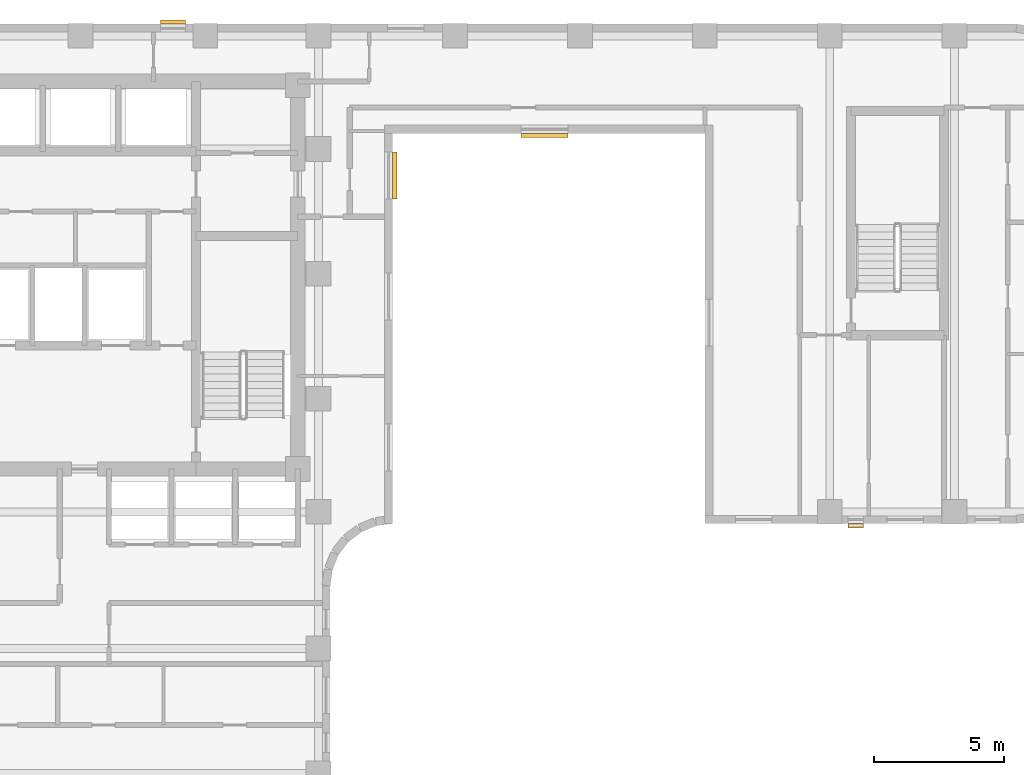
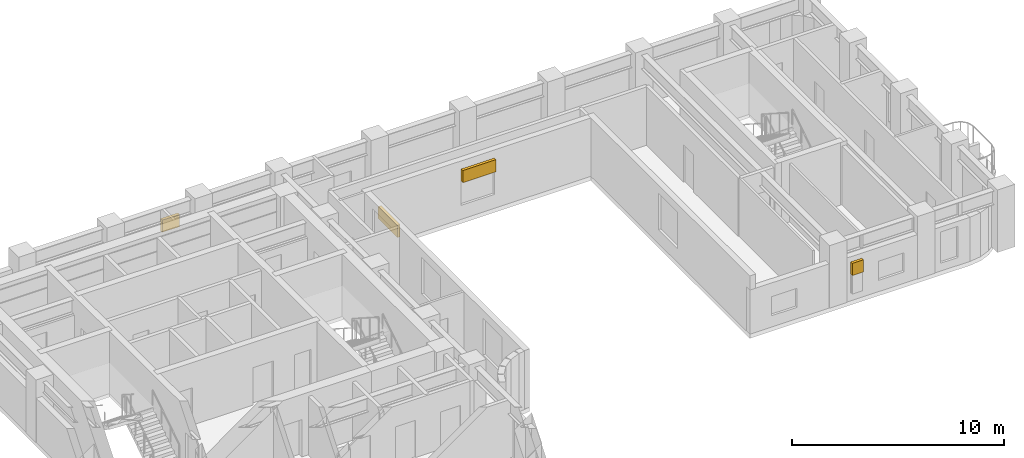
# One storey, part 9 of 9: 4 shading devices.
"""IFC4 building model written with IfcOpenShell, lengths in metres."""

from ifc_helpers import new_model, si_unit, direction, frame, origin, origin_2d, place, context, subcontext, project, spatial, rectangle, extrude, material, type_object, element, save


model = new_model("IFC4")

# Units and contexts
model_context = context("Model", 3, precision=1e-05, world=origin(), true_north=direction((0.0, 1.0)))
body_context = subcontext(model_context, "Body", "Model", "MODEL_VIEW")
ifc_project = project(units=[si_unit("LENGTHUNIT", "METRE"), si_unit("AREAUNIT", "SQUARE_METRE"), si_unit("VOLUMEUNIT", "CUBIC_METRE"), si_unit("PLANEANGLEUNIT", "RADIAN"), si_unit("MASSUNIT", "GRAM", prefix="KILO")], contexts=[model_context])

# Site, building, storey
site_placement = place(None, origin())
site = spatial("IfcSite", under=ifc_project, at=site_placement, CompositionType="ELEMENT")
building_placement = place(site_placement, origin())
building = spatial("IfcBuilding", under=site, at=building_placement, Name="Orvandelia Arch Residences", CompositionType="ELEMENT")
storey_placement = place(building_placement, frame((0.0, 0.0, 186.39990234375)))
storey = spatial("IfcBuildingStorey", under=building, at=storey_placement, Name="L49", CompositionType="ELEMENT", Elevation=186.39990234375)

# Shading devices
ifc_material = material(Name="Anodised Champagne-Bronze Extruded Aluminium", Category="aluminium")
shading_device_type = type_object("IfcShadingDeviceType", Name="SHD-JALOUSIE-SCREEN", PredefinedType="JALOUSIE", material=ifc_material)
shading_device_1_placement = place(storey_placement, frame((17.952392578125, 48.080078125, 1.55029296875), z_axis=(0.0, 0.0, 1.0), x_axis=(1.0, 0.0, 0.0)))
element("IfcShadingDevice", 1, at=shading_device_1_placement, inside=storey, type_object=shading_device_type, Name="Bronze Jalousie Sun-Shade L49-001", PredefinedType="JALOUSIE", context=body_context, shape_type="SweptSolid", body=[
    extrude(rectangle(XDim=0.949951171875, YDim=0.159912109375, at=origin_2d()), origin(), (0.0, 0.0, 1.0), 0.699951171875),
])
shading_device_2_placement = place(storey_placement, frame((44.197509765625, 28.719970703125, 1.55029296875), z_axis=(0.0, 0.0, 1.0), x_axis=(-1.0, 0.0, 0.0)))
element("IfcShadingDevice", 2, at=shading_device_2_placement, inside=storey, type_object=shading_device_type, Name="Bronze Jalousie Sun-Shade L49-003", PredefinedType="JALOUSIE", context=body_context, shape_type="SweptSolid", body=[
    extrude(rectangle(XDim=0.60009765625, YDim=0.159912109375, at=origin_2d()), origin(), (0.0, 0.0, 1.0), 0.699951171875),
])
for number, where, z_axis, x_axis, name in (
    (3, (32.239990234375, 43.719970703125, 2.2001953125), (0.0, 0.0, 1.0), (-1.0, 0.0, 0.0), "Bronze Jalousie Sun-Shade L49-004"),
    (4, (26.47998046875, 42.179931640625, 2.2001953125), (0.0, 0.0, 1.0), (0.0, -1.0, 0.0), "Bronze Jalousie Sun-Shade L49-005"),
):
    element("IfcShadingDevice", number, at=place(storey_placement, frame(where, z_axis=z_axis, x_axis=x_axis)), inside=storey, type_object=shading_device_type, Name=name, PredefinedType="JALOUSIE", context=body_context, shape_type="SweptSolid", body=[
        extrude(rectangle(XDim=1.800048828125, YDim=0.159912109375, at=origin_2d()), origin(), (0.0, 0.0, 1.0), 0.699951171875),
    ])

save(model, "model.ifc")
